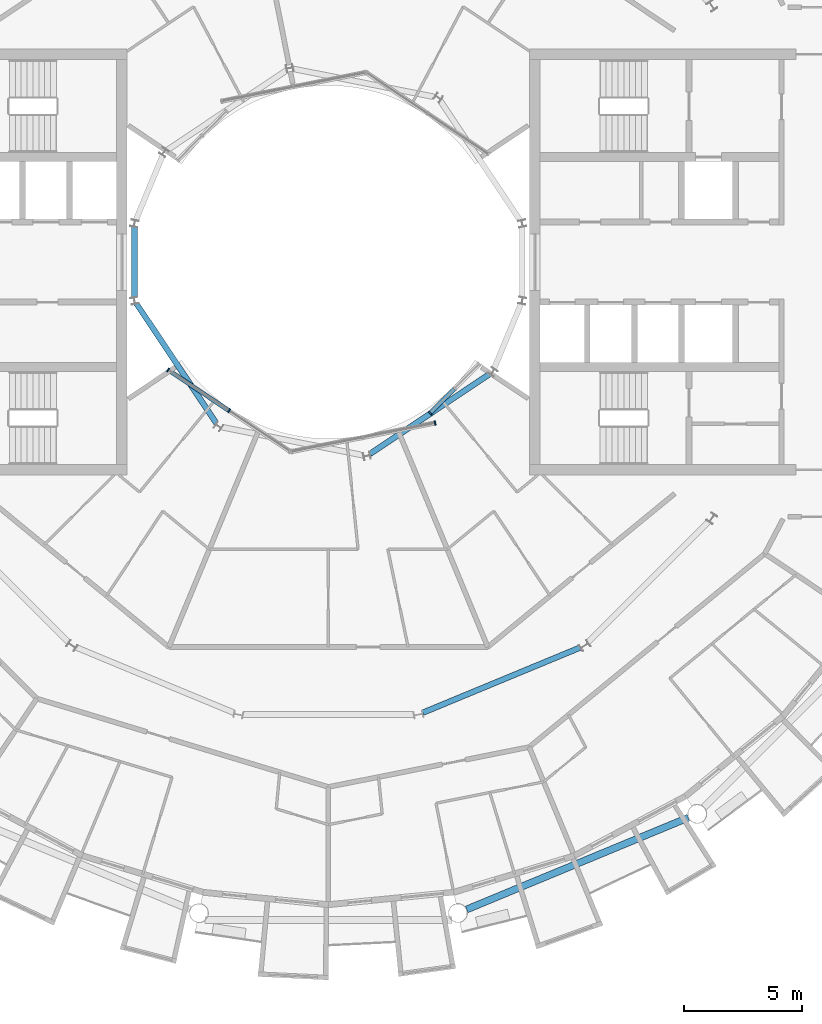
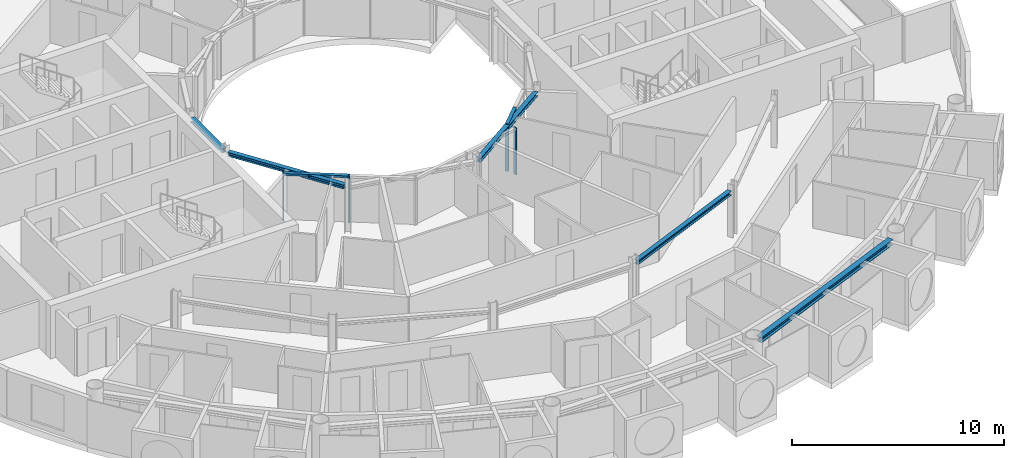
# One storey, part 7 of 28: 6 members, 5 beams, 3 elements without a shape of their own.
"""IFC4 building model written with IfcOpenShell, lengths in metres."""

from ifc_helpers import new_model, si_unit, direction, frame, origin, origin_2d, place, context, subcontext, project, spatial, rectangle, i_section, extrude, material, layer, layer_set, material_profile, profile_set, type_object, element, aggregate, save


model = new_model("IFC4")

# Units and contexts
model_context = context("Model", 3, precision=1e-05, world=origin(), true_north=direction((0.0, 1.0)))
body_context = subcontext(model_context, "Body", "Model", "MODEL_VIEW")
ifc_project = project(units=[si_unit("LENGTHUNIT", "METRE"), si_unit("AREAUNIT", "SQUARE_METRE"), si_unit("VOLUMEUNIT", "CUBIC_METRE"), si_unit("PLANEANGLEUNIT", "RADIAN"), si_unit("MASSUNIT", "GRAM", prefix="KILO")], contexts=[model_context])

# Site, building, storey
site_placement = place(None, origin())
site = spatial("IfcSite", under=ifc_project, at=site_placement, CompositionType="ELEMENT")
building_placement = place(site_placement, origin())
building = spatial("IfcBuilding", under=site, at=building_placement, Name="Maasbend Ring Residences", CompositionType="ELEMENT")
storey_placement = place(building_placement, frame((0.0, 0.0, 196.300048828125)))
storey = spatial("IfcBuildingStorey", under=building, at=storey_placement, Name="L56", CompositionType="ELEMENT", Elevation=196.300048828125)

# Curtain wall, members
ifc_material_1 = material(Name="Aluminium and clear glass", Category="aluminium")
ifc_layer = layer(ifc_material_1, 0.179931640625)
ifc_layer_set = layer_set([ifc_layer], Name="CW-W")
curtain_wall_type = type_object("IfcCurtainWallType", Name="CW-W", PredefinedType="NOTDEFINED", material=ifc_layer_set)
curtain_wall_1_placement = place(storey_placement, origin())
curtain_wall_1 = element("IfcCurtainWall", 1, at=curtain_wall_1_placement, inside=storey, type_object=curtain_wall_type, Name="Well curtain wall S1", PredefinedType="NOTDEFINED")
ifc_material_2 = material(Name="Aluminium 6063-T6", Category="aluminium")
ifc_material_profile_1 = material_profile(ifc_material_2, rectangle(XDim=0.179931640625, YDim=0.06005859375, at=origin_2d()), Name="AL 180x60")
ifc_profile_set_1 = profile_set([ifc_material_profile_1], Name="Aluminium 6063-T6")
member_type_1 = type_object("IfcMemberType", Name="CWM-W", PredefinedType="MULLION", material=ifc_profile_set_1)
member_1_placement = place(storey_placement, frame((-6.805908203125, -4.580810546875, 0.0), z_axis=(0.0, 0.0, 1.0), x_axis=(0.55557023302, 0.831469612303, 0.0)))
member_1 = element("IfcMember", 2, at=member_1_placement, type_object=member_type_1, Name="Mullion well face", PredefinedType="MULLION", context=body_context, shape_type="SweptSolid", body=[
    extrude(rectangle(XDim=0.179931640625, YDim=0.06005859375, at=origin_2d()), origin(), (0.0, 0.0, 1.0), 2.699951171875),
])
member_2_placement = place(storey_placement, frame((-4.216796875, -6.310791015625, 0.0), z_axis=(0.0, 0.0, 1.0), x_axis=(0.55557023302, 0.831469612303, 0.0)))
member_2 = element("IfcMember", 3, at=member_2_placement, type_object=member_type_1, Name="Mullion well face", PredefinedType="MULLION", context=body_context, shape_type="SweptSolid", body=[
    extrude(rectangle(XDim=0.179931640625, YDim=0.06005859375, at=origin_2d()), origin(), (0.0, 0.0, 1.0), 2.699951171875),
])

# Curtain wall, member
curtain_wall_2_placement = place(storey_placement, origin())
curtain_wall_2 = element("IfcCurtainWall", 4, at=curtain_wall_2_placement, inside=storey, type_object=curtain_wall_type, Name="Well curtain wall S2", PredefinedType="NOTDEFINED")
member_3_placement = place(storey_placement, frame((4.53466796875, -6.836669921875, 0.0), z_axis=(0.0, 0.0, 1.0), x_axis=(-0.195090322016, 0.980785280403, 0.0)))
member_3 = element("IfcMember", 5, at=member_3_placement, type_object=member_type_1, Name="Mullion well face", PredefinedType="MULLION", context=body_context, shape_type="SweptSolid", body=[
    extrude(rectangle(XDim=0.179931640625, YDim=0.06005859375, at=origin_2d()), origin(), (0.0, 0.0, 1.0), 2.699951171875),
])
aggregate(curtain_wall_2, [member_3])

curtain_wall_3_placement = place(storey_placement, origin())
curtain_wall_3 = element("IfcCurtainWall", 6, at=curtain_wall_3_placement, inside=storey, type_object=curtain_wall_type, Name="Well curtain wall S3", PredefinedType="NOTDEFINED")
member_4_placement = place(storey_placement, frame((4.320556640625, -6.413330078125, 0.0), z_axis=(0.0, 0.0, 1.0), x_axis=(-0.707106781187, 0.707106781187, 0.0)))
member_4 = element("IfcMember", 7, at=member_4_placement, type_object=member_type_1, Name="Mullion well face", PredefinedType="MULLION", context=body_context, shape_type="SweptSolid", body=[
    extrude(rectangle(XDim=0.179931640625, YDim=0.06005859375, at=origin_2d()), origin(), (0.0, 0.0, 1.0), 2.699951171875),
])

# Member
ifc_material_3 = material(Name="Aluminium 6063-T6", Category="aluminium")
ifc_material_profile_2 = material_profile(ifc_material_3, rectangle(XDim=0.179931640625, YDim=0.1201171875, at=origin_2d()), Name="AL 180x120")
ifc_profile_set_2 = profile_set([ifc_material_profile_2], Name="Aluminium 6063-T6")
member_type_2 = type_object("IfcMemberType", Name="CWT-W", PredefinedType="USERDEFINED", material=ifc_profile_set_2)
member_5_placement = place(storey_placement, frame((-6.781005859375, -4.59765625, 2.639892578125), z_axis=(0.831496422459, -0.555530106689, 0.0), x_axis=(0.555530106689, 0.831496422459, 0.0)))
member_5 = element("IfcMember", 8, at=member_5_placement, type_object=member_type_2, Name="Transom well face", ObjectType="TRANSOM", PredefinedType="USERDEFINED", context=body_context, shape_type="SweptSolid", body=[
    extrude(rectangle(XDim=0.179931640625, YDim=0.1201171875, at=origin_2d()), origin(), (0.0, 0.0, 1.0), 3.053955078125),
])

aggregate(curtain_wall_1, [member_1, member_2, member_5])

member_6_placement = place(storey_placement, frame((4.341796875, -6.39208984375, 2.639892578125), z_axis=(0.707106781187, 0.707106781187, 0.0), x_axis=(-0.707106781187, 0.707106781187, 0.0)))
member_6 = element("IfcMember", 9, at=member_6_placement, type_object=member_type_2, Name="Transom well face", ObjectType="TRANSOM", PredefinedType="USERDEFINED", context=body_context, shape_type="SweptSolid", body=[
    extrude(rectangle(XDim=0.179931640625, YDim=0.1201171875, at=origin_2d()), origin(), (0.0, 0.0, 1.0), 1.419677734375),
])

aggregate(curtain_wall_3, [member_4, member_6])

# Beams
ifc_material_4 = material(Name="Steel S355J2", Category="steel")
ifc_material_profile_3 = material_profile(ifc_material_4, i_section(OverallWidth=0.239990234375, OverallDepth=0.22998046875, WebThickness=0.007568359375, FlangeThickness=0.011962890625, FilletRadius=0.02099609375, at=origin_2d()), Name="HEA 240")
ifc_profile_set_3 = profile_set([ifc_material_profile_3], Name="Steel S355J2")
beam_type_1 = type_object("IfcBeamType", Name="Corridor ring beam HEA 240", PredefinedType="BEAM", material=ifc_profile_set_3)
beam_1_placement = place(storey_placement, frame((4.01220703125, -19.1455078125, 2.5849609375), z_axis=(0.923865162022, 0.382718123952, 0.0), x_axis=(-0.382718123952, 0.923865162022, 0.0)))
element("IfcBeam", 10, at=beam_1_placement, inside=storey, type_object=beam_type_1, Name="Corridor ring beam", PredefinedType="BEAM", context=body_context, shape_type="SweptSolid", body=[
    extrude(i_section(OverallWidth=0.239990234375, OverallDepth=0.22998046875, WebThickness=0.007568359375, FlangeThickness=0.011962890625, FilletRadius=0.02099609375, at=origin_2d()), origin(), (0.0, 0.0, 1.0), 7.23974609375),
])
ifc_material_5 = material(Name="Steel S355J2", Category="steel")
ifc_material_profile_4 = material_profile(ifc_material_5, i_section(OverallWidth=0.300048828125, OverallDepth=0.300048828125, WebThickness=0.010986328125, FlangeThickness=0.01904296875, FilletRadius=0.027099609375, at=origin_2d()), Name="HEB 300")
ifc_profile_set_4 = profile_set([ifc_material_profile_4], Name="Steel S355J2")
beam_type_2 = type_object("IfcBeamType", Name="Spandrel ring beam HEB 300", PredefinedType="SPANDREL", material=ifc_profile_set_4)
beam_2_placement = place(storey_placement, frame((5.877197265625, -27.50244140625, 2.550048828125), z_axis=(0.923883676188, 0.382673428492, 0.0), x_axis=(-0.382673428492, 0.923883676188, 0.0)))
element("IfcBeam", 11, at=beam_2_placement, inside=storey, type_object=beam_type_2, Name="Spandrel ring beam", PredefinedType="SPANDREL", context=body_context, shape_type="SweptSolid", body=[
    extrude(i_section(OverallWidth=0.300048828125, OverallDepth=0.300048828125, WebThickness=0.010986328125, FlangeThickness=0.01904296875, FilletRadius=0.027099609375, at=origin_2d()), origin(), (0.0, 0.0, 1.0), 10.18994140625),
])
ifc_material_6 = material(Name="Steel S355J2", Category="steel")
ifc_material_profile_5 = material_profile(ifc_material_6, i_section(OverallWidth=0.239990234375, OverallDepth=0.22998046875, WebThickness=0.007568359375, FlangeThickness=0.011962890625, FilletRadius=0.02099609375, at=origin_2d()), Name="HEA 240")
ifc_profile_set_5 = profile_set([ifc_material_profile_5], Name="Steel S355J2")
beam_type_3 = type_object("IfcBeamType", Name="Well edge beam HEA 240", PredefinedType="BEAM", material=ifc_profile_set_5)
beam_3_placement = place(storey_placement, frame((-8.238525390625, 1.490966796875, 2.5849609375), z_axis=(0.0, -1.0, 0.0), x_axis=(1.0, 0.0, 0.0)))
element("IfcBeam", 12, at=beam_3_placement, inside=storey, type_object=beam_type_3, Name="Well edge beam", PredefinedType="BEAM", context=body_context, shape_type="SweptSolid", body=[
    extrude(i_section(OverallWidth=0.239990234375, OverallDepth=0.22998046875, WebThickness=0.007568359375, FlangeThickness=0.011962890625, FilletRadius=0.02099609375, at=origin_2d()), origin(), (0.0, 0.0, 1.0), 2.98193359375),
])
for number, where, z_axis, x_axis, name in (
    (13, (-8.1513671875, -1.769287109375, 2.5849609375), (0.555584356119, -0.831460175376, 0.0), (0.831460175376, 0.555584356119, 0.0), "Well edge beam"),
    (14, (1.769287109375, -8.1513671875, 2.5849609375), (0.831460175376, 0.555584356119, 0.0), (-0.555584356119, 0.831460175376, 0.0), "Well edge beam"),
):
    element("IfcBeam", number, at=place(storey_placement, frame(where, z_axis=z_axis, x_axis=x_axis)), inside=storey, type_object=beam_type_3, Name=name, PredefinedType="BEAM", context=body_context, shape_type="SweptSolid", body=[
        extrude(i_section(OverallWidth=0.239990234375, OverallDepth=0.22998046875, WebThickness=0.007568359375, FlangeThickness=0.011962890625, FilletRadius=0.02099609375, at=origin_2d()), origin(), (0.0, 0.0, 1.0), 6.115234375),
    ])

save(model, "model.ifc")
